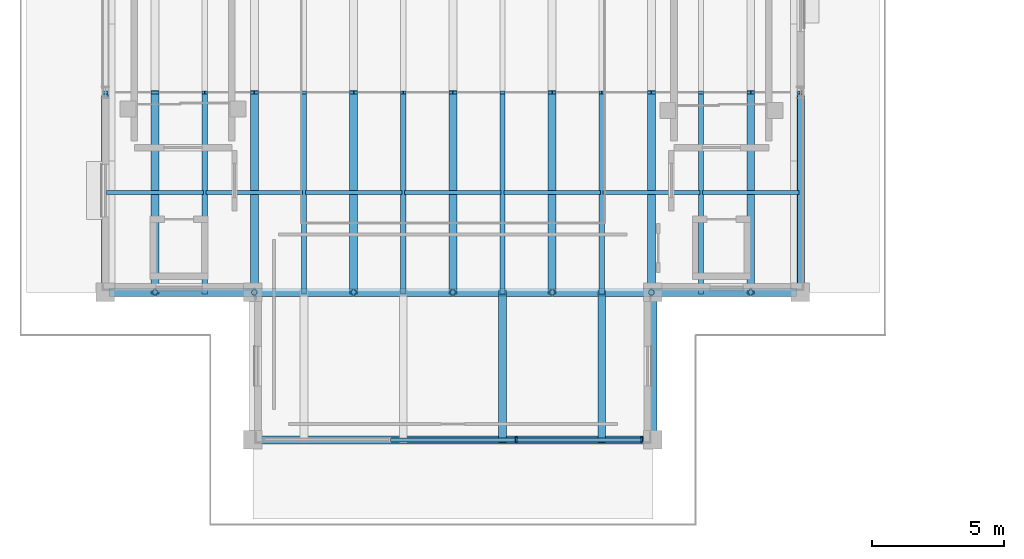
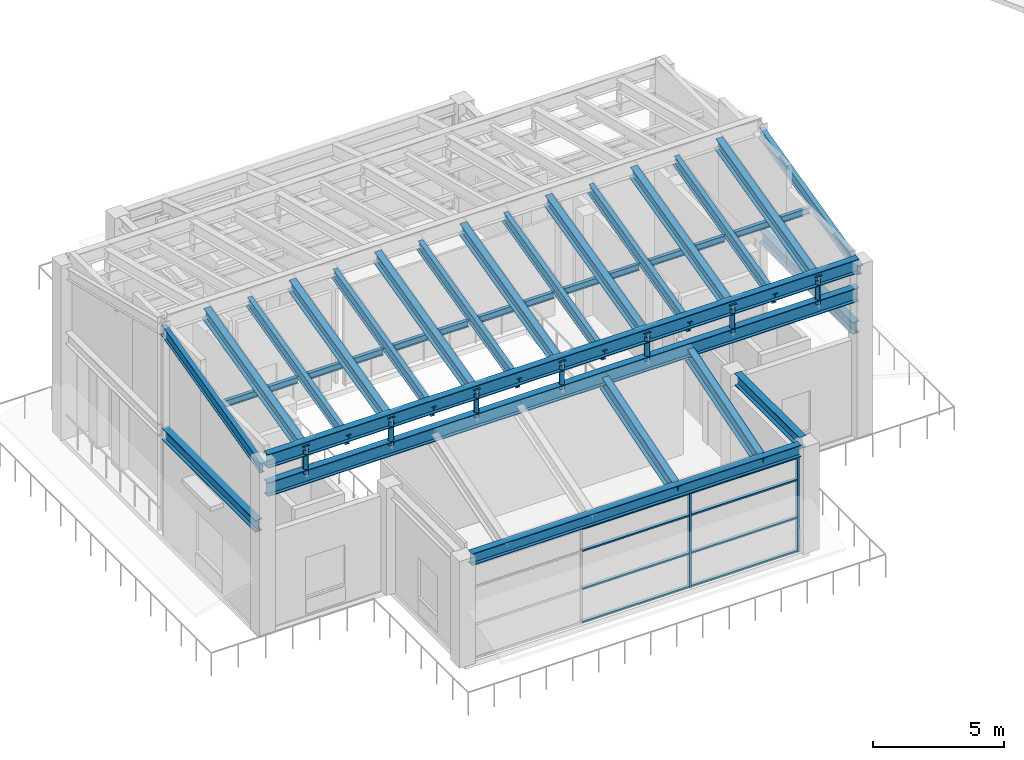
# One storey, part 2 of 11: 41 members, 6 beams, 1 element without a shape of its own.
"""IFC4 building model written with IfcOpenShell, lengths in metres."""

import ifcopenshell
import ifcopenshell.guid

model = None  # the IFC model being written
_history = None  # IfcOwnerHistory: only IFC2X3 demands one
_inside = {}  # id of a spatial element -> (the spatial element, [elements in it])
_under = {}  # id of a project, library or spatial element -> (it, [spatial elements below it])
_declared = {}  # id of a project -> (the project, [libraries it declares])
_typed = {}  # id of a type object -> (the type object, [elements of that type])
_made_of = {}  # id of a material, layer set ... -> (it, [elements and type objects made of it])


def new_model(schema):
    """Start an empty IFC model of exactly this schema.

    Asked for "IFC4X3", IfcOpenShell would pick the latest addendum, in which some entities
    have other attributes; the version numbers below select the first issue.
    IFC2X3 requires an IfcOwnerHistory on every rooted entity: one is made here for all.
    """
    global model, _history
    if schema == "IFC4X3":
        model = ifcopenshell.file(schema_version=(4, 3, 0, 0))
    else:
        model = ifcopenshell.file(schema=schema)
    _inside.clear()
    _under.clear()
    _declared.clear()
    _typed.clear()
    _made_of.clear()
    _history = None
    if model.schema == "IFC2X3":
        org = make("IfcOrganization", Name="unknown")
        user = make(
            "IfcPersonAndOrganization",
            ThePerson=make("IfcPerson", FamilyName="unknown"),
            TheOrganization=org,
        )
        app = make(
            "IfcApplication",
            ApplicationDeveloper=org,
            Version="unknown",
            ApplicationFullName="unknown",
            ApplicationIdentifier="unknown",
        )
        _history = make(
            "IfcOwnerHistory",
            OwningUser=user,
            OwningApplication=app,
            ChangeAction="ADDED",
            CreationDate=0,
        )
    return model


def make(cls, **values):
    """One entity of the class cls with the attributes given. An attribute that is None is left unset."""
    return model.create_entity(
        cls, **{name: value for name, value in values.items() if value is not None}
    )


def rooted(cls, **values):
    """An entity with a GlobalId (a new one), such as an element, a storey or a relation."""
    return make(cls, GlobalId=ifcopenshell.guid.new(), OwnerHistory=_history, **values)


def si_unit(unit_type, name, prefix=None):
    """IfcSIUnit, for example si_unit("LENGTHUNIT", "METRE", prefix="MILLI")."""
    return make("IfcSIUnit", UnitType=unit_type, Prefix=prefix, Name=name)


def assignment(units):
    """IfcUnitAssignment: the units of a project."""
    return None if units is None else make("IfcUnitAssignment", Units=units)


def point(xyz):
    """IfcCartesianPoint."""
    return None if xyz is None else make("IfcCartesianPoint", Coordinates=xyz)


def direction(xyz):
    """IfcDirection."""
    return None if xyz is None else make("IfcDirection", DirectionRatios=xyz)


def frame(location, z_axis=None, x_axis=None):
    """IfcAxis2Placement3D, a coordinate frame: its origin and axes. An axis left out is left unset."""
    return make(
        "IfcAxis2Placement3D",
        Location=point(location),
        Axis=direction(z_axis),
        RefDirection=direction(x_axis),
    )


def frame_2d(location, x_axis=None):
    """IfcAxis2Placement2D, a coordinate frame in the plane: its origin and x axis."""
    return make(
        "IfcAxis2Placement2D", Location=point(location), RefDirection=direction(x_axis)
    )


def origin():
    """The frame at (0, 0, 0) with its axes left unset."""
    return frame((0.0, 0.0, 0.0))


def origin_2d():
    """The frame at (0, 0) in the plane with its x axis left unset."""
    return frame_2d((0.0, 0.0))


def place(relative_to, where):
    """IfcLocalPlacement: puts the frame where relative to a parent placement (None: the world)."""
    return make(
        "IfcLocalPlacement", PlacementRelTo=relative_to, RelativePlacement=where
    )


def context(
    kind, dimensions, precision=None, world=None, true_north=None, identifier=None
):
    """IfcGeometricRepresentationContext, for example the 3D "Model" context."""
    return make(
        "IfcGeometricRepresentationContext",
        ContextIdentifier=identifier,
        ContextType=kind,
        CoordinateSpaceDimension=dimensions,
        Precision=precision,
        WorldCoordinateSystem=world,
        TrueNorth=true_north,
    )


def subcontext(parent, identifier, kind, view, scale=None):
    """IfcGeometricRepresentationSubContext, for example "Body" below "Model"."""
    return make(
        "IfcGeometricRepresentationSubContext",
        ContextIdentifier=identifier,
        ContextType=kind,
        ParentContext=parent,
        TargetScale=scale,
        TargetView=view,
    )


def project(units=None, contexts=None):
    """IfcProject with its units and contexts."""
    return rooted(
        "IfcProject",
        Name="project",
        RepresentationContexts=contexts,
        UnitsInContext=assignment(units),
    )


def spatial(cls, under=None, at=None, **own):
    """A site, building, storey or space (cls), placed at a placement, below another one or the project."""
    s = rooted(cls, ObjectPlacement=at, **own)
    if under is not None:
        _under.setdefault(under.id(), (under, []))[1].append(s)
    return s


def profile(cls, at=None, kind="AREA", **sizes):
    """A parametric profile (cls). Its sizes go by their IFC names, for example OverallWidth=200.0."""
    return make(cls, ProfileType=kind, Position=at, **sizes)


def rectangle(**sizes):
    """IfcRectangleProfileDef."""
    return profile("IfcRectangleProfileDef", **sizes)


def hollow_circle(**sizes):
    """IfcCircleHollowProfileDef."""
    return profile("IfcCircleHollowProfileDef", **sizes)


def i_section(**sizes):
    """IfcIShapeProfileDef."""
    return profile("IfcIShapeProfileDef", **sizes)


def extrude(swept, where, along, depth):
    """IfcExtrudedAreaSolid: the profile swept, set in the frame where, extruded along a direction by depth."""
    return make(
        "IfcExtrudedAreaSolid",
        SweptArea=swept,
        Position=where,
        ExtrudedDirection=direction(along),
        Depth=depth,
    )


def shape(context_of_items, identifier, shape_type, items):
    """IfcShapeRepresentation: the items that make up one representation, for example the "Body"."""
    return make(
        "IfcShapeRepresentation",
        ContextOfItems=context_of_items,
        RepresentationIdentifier=identifier,
        RepresentationType=shape_type,
        Items=items,
    )


def material(Name=None, Category=None):
    """IfcMaterial."""
    return make("IfcMaterial", Name=Name, Category=Category)


def material_profile(
    of_material, cross_section, Name=None, Category=None, Priority=None
):
    """IfcMaterialProfile: a cross section and its material."""
    return make(
        "IfcMaterialProfile",
        Name=Name,
        Material=of_material,
        Profile=cross_section,
        Priority=Priority,
        Category=Category,
    )


def profile_set(profiles, Name=None, composite=None):
    """IfcMaterialProfileSet."""
    return make(
        "IfcMaterialProfileSet",
        Name=Name,
        MaterialProfiles=profiles,
        CompositeProfile=composite,
    )


def made_of(thing, what):
    """Note that an element or type object is made of a material, layer set ...; save() writes the relation."""
    if what is not None:
        _made_of.setdefault(what.id(), (what, []))[1].append(thing)
    return thing


def type_object(cls, material=None, **own):
    """A type object (cls), such as IfcWallType, which elements share."""
    return made_of(rooted(cls, **own), material)


def element(
    cls,
    number,
    at=None,
    inside=None,
    cuts=None,
    type_object=None,
    material=None,
    context=None,
    identifier="Body",
    shape_type=None,
    held_by="IfcProductDefinitionShape",
    body=None,
    shapes=None,
    **own,
):
    """One element of the class cls, such as IfcWall. Its Tag is "e" and its number.

    at: its placement. inside: the storey or other place that contains it. cuts: it is an
    opening in that element (IfcRelVoidsElement). A single representation is given by context,
    identifier, shape_type and body (its items); several are given by shapes. held_by: the class
    of the entity that holds the representations. save() writes the other relations.
    """
    e = rooted(cls, Tag="e%d" % number, ObjectPlacement=at, **own)
    if body is not None:
        shapes = [shape(context, identifier, shape_type, body)]
    if shapes is not None:
        e.Representation = make(held_by, Representations=shapes)
    if inside is not None:
        _inside.setdefault(inside.id(), (inside, []))[1].append(e)
    if cuts is not None:
        rooted(
            "IfcRelVoidsElement", RelatingBuildingElement=cuts, RelatedOpeningElement=e
        )
    if type_object is not None:
        _typed.setdefault(type_object.id(), (type_object, []))[1].append(e)
    return made_of(e, material)


def aggregate(whole, parts):
    """IfcRelAggregates: a whole, such as a stair, and the parts it consists of."""
    return rooted("IfcRelAggregates", RelatingObject=whole, RelatedObjects=parts)


def save(model, path):
    """Write the relations noted so far, then the file.

    IfcRelAggregates (storeys below a building ...), IfcRelContainedInSpatialStructure (elements
    in a storey), IfcRelDefinesByType, IfcRelAssociatesMaterial and IfcRelDeclares: one each for
    every whole, place, type object, material and project.
    """
    for whole, parts in _under.values():
        aggregate(whole, parts)
    for where, things in _inside.values():
        rooted(
            "IfcRelContainedInSpatialStructure",
            RelatedElements=things,
            RelatingStructure=where,
        )
    for kind, things in _typed.values():
        rooted("IfcRelDefinesByType", RelatedObjects=things, RelatingType=kind)
    for what, things in _made_of.values():
        rooted("IfcRelAssociatesMaterial", RelatedObjects=things, RelatingMaterial=what)
    for by, libraries in _declared.values():
        rooted("IfcRelDeclares", RelatingContext=by, RelatedDefinitions=libraries)
    model.write(path)


model = new_model("IFC4")

# Units and contexts
model_context = context("Model", 3, precision=1e-05, world=origin(), true_north=direction((0.0, 1.0)))
body_context = subcontext(model_context, "Body", "Model", "MODEL_VIEW")
ifc_project = project(units=[si_unit("LENGTHUNIT", "METRE"), si_unit("AREAUNIT", "SQUARE_METRE"), si_unit("VOLUMEUNIT", "CUBIC_METRE"), si_unit("PLANEANGLEUNIT", "RADIAN"), si_unit("MASSUNIT", "GRAM", prefix="KILO")], contexts=[model_context])

# Site, building, storey
site_placement = place(None, origin())
site = spatial("IfcSite", under=ifc_project, at=site_placement, CompositionType="ELEMENT")
building_placement = place(site_placement, origin())
building = spatial("IfcBuilding", under=site, at=building_placement, Name="Saryqyr Civic Hall", CompositionType="ELEMENT")
storey_placement = place(building_placement, frame((0.0, 0.0, 29.39990234375)))
storey = spatial("IfcBuildingStorey", under=building, at=storey_placement, Name="L07", CompositionType="ELEMENT", Elevation=29.39990234375)

# Curtain wall, members
ifc_material_1 = material(Name="Anodised aluminium and triple low-E glass", Category="aluminium")
curtain_wall_type = type_object("IfcCurtainWallType", Name="ENV-CW-HVY-50", PredefinedType="NOTDEFINED", material=ifc_material_1)
curtain_wall_placement = place(storey_placement, origin())
curtain_wall = element("IfcCurtainWall", 1, at=curtain_wall_placement, inside=storey, type_object=curtain_wall_type, Name="Curtain wall V1-CW-L07-11", PredefinedType="NOTDEFINED")
ifc_material_2 = material(Name="Anodised aluminium", Category="aluminium")
ifc_material_profile_1 = material_profile(ifc_material_2, rectangle(XDim=0.070068359375, YDim=0.199951171875, at=origin_2d()), Name="ALU MULLION 70x200")
ifc_profile_set_1 = profile_set([ifc_material_profile_1], Name="Anodised aluminium")
member_type_1 = type_object("IfcMemberType", Name="ENV-CW-MUL-220", PredefinedType="MULLION", material=ifc_profile_set_1)
member_1_placement = place(storey_placement, frame((64.175048828125, 70.800048828125, 0.0), z_axis=(0.0, 0.0, 1.0), x_axis=(-1.0, 0.0, 0.0)))
member_1 = element("IfcMember", 2, at=member_1_placement, type_object=member_type_1, Name="CW-50 mullion 1", PredefinedType="MULLION", context=body_context, shape_type="SweptSolid", body=[
    extrude(rectangle(XDim=0.070068359375, YDim=0.199951171875, at=origin_2d()), origin(), (0.0, 0.0, 1.0), 4.425048828125),
])
member_2_placement = place(storey_placement, frame((59.4033203125, 70.800048828125, 0.0), z_axis=(0.0, 0.0, 1.0), x_axis=(-1.0, 0.0, 0.0)))
member_2 = element("IfcMember", 3, at=member_2_placement, type_object=member_type_1, Name="CW-50 mullion 2", PredefinedType="MULLION", context=body_context, shape_type="SweptSolid", body=[
    extrude(rectangle(XDim=0.070068359375, YDim=0.199951171875, at=origin_2d()), origin(), (0.0, 0.0, 1.0), 4.425048828125),
])
ifc_material_profile_2 = material_profile(ifc_material_2, rectangle(XDim=0.14990234375, YDim=0.070068359375, at=origin_2d()), Name="ALU TRANSOM 150x70")
ifc_profile_set_2 = profile_set([ifc_material_profile_2], Name="Anodised aluminium")
member_type_2 = type_object("IfcMemberType", Name="ENV-CW-TRN-180", PredefinedType="USERDEFINED", material=ifc_profile_set_2)
member_3_placement = place(storey_placement, frame((64.139892578125, 70.800048828125, 0.03515625), z_axis=(-1.0, 0.0, 0.0), x_axis=(0.0, -1.0, 0.0)))
member_3 = element("IfcMember", 4, at=member_3_placement, type_object=member_type_2, Name="CW-50 transom 1.1", ObjectType="TRANSOM", PredefinedType="USERDEFINED", context=body_context, shape_type="SweptSolid", body=[
    extrude(rectangle(XDim=0.14990234375, YDim=0.070068359375, at=origin_2d()), origin(), (0.0, 0.0, 1.0), 4.70166015625),
])
member_4_placement = place(storey_placement, frame((64.139892578125, 70.800048828125, 1.593017578125), z_axis=(-1.0, 0.0, 0.0), x_axis=(0.0, -1.0, 0.0)))
member_4 = element("IfcMember", 5, at=member_4_placement, type_object=member_type_2, Name="CW-50 transom 1.2", ObjectType="TRANSOM", PredefinedType="USERDEFINED", context=body_context, shape_type="SweptSolid", body=[
    extrude(rectangle(XDim=0.14990234375, YDim=0.070068359375, at=origin_2d()), origin(), (0.0, 0.0, 1.0), 4.70166015625),
])
member_5_placement = place(storey_placement, frame((64.139892578125, 70.800048828125, 3.363037109375), z_axis=(-1.0, 0.0, 0.0), x_axis=(0.0, -1.0, 0.0)))
member_5 = element("IfcMember", 6, at=member_5_placement, type_object=member_type_2, Name="CW-50 transom 1.3", ObjectType="TRANSOM", PredefinedType="USERDEFINED", context=body_context, shape_type="SweptSolid", body=[
    extrude(rectangle(XDim=0.14990234375, YDim=0.070068359375, at=origin_2d()), origin(), (0.0, 0.0, 1.0), 4.70166015625),
])
member_6_placement = place(storey_placement, frame((64.139892578125, 70.800048828125, 4.39013671875), z_axis=(-1.0, 0.0, 0.0), x_axis=(0.0, -1.0, 0.0)))
member_6 = element("IfcMember", 7, at=member_6_placement, type_object=member_type_2, Name="CW-50 transom 1.4", ObjectType="TRANSOM", PredefinedType="USERDEFINED", context=body_context, shape_type="SweptSolid", body=[
    extrude(rectangle(XDim=0.14990234375, YDim=0.070068359375, at=origin_2d()), origin(), (0.0, 0.0, 1.0), 4.70166015625),
])
member_7_placement = place(storey_placement, frame((59.368408203125, 70.800048828125, 0.03515625), z_axis=(-1.0, 0.0, 0.0), x_axis=(0.0, -1.0, 0.0)))
member_7 = element("IfcMember", 8, at=member_7_placement, type_object=member_type_2, Name="CW-50 transom 2.1", ObjectType="TRANSOM", PredefinedType="USERDEFINED", context=body_context, shape_type="SweptSolid", body=[
    extrude(rectangle(XDim=0.14990234375, YDim=0.070068359375, at=origin_2d()), origin(), (0.0, 0.0, 1.0), 4.73681640625),
])
member_8_placement = place(storey_placement, frame((59.368408203125, 70.800048828125, 1.593017578125), z_axis=(-1.0, 0.0, 0.0), x_axis=(0.0, -1.0, 0.0)))
member_8 = element("IfcMember", 9, at=member_8_placement, type_object=member_type_2, Name="CW-50 transom 2.2", ObjectType="TRANSOM", PredefinedType="USERDEFINED", context=body_context, shape_type="SweptSolid", body=[
    extrude(rectangle(XDim=0.14990234375, YDim=0.070068359375, at=origin_2d()), origin(), (0.0, 0.0, 1.0), 4.73681640625),
])
member_9_placement = place(storey_placement, frame((59.368408203125, 70.800048828125, 3.363037109375), z_axis=(-1.0, 0.0, 0.0), x_axis=(0.0, -1.0, 0.0)))
member_9 = element("IfcMember", 10, at=member_9_placement, type_object=member_type_2, Name="CW-50 transom 2.3", ObjectType="TRANSOM", PredefinedType="USERDEFINED", context=body_context, shape_type="SweptSolid", body=[
    extrude(rectangle(XDim=0.14990234375, YDim=0.070068359375, at=origin_2d()), origin(), (0.0, 0.0, 1.0), 4.73681640625),
])
member_10_placement = place(storey_placement, frame((59.368408203125, 70.800048828125, 4.39013671875), z_axis=(-1.0, 0.0, 0.0), x_axis=(0.0, -1.0, 0.0)))
member_10 = element("IfcMember", 11, at=member_10_placement, type_object=member_type_2, Name="CW-50 transom 2.4", ObjectType="TRANSOM", PredefinedType="USERDEFINED", context=body_context, shape_type="SweptSolid", body=[
    extrude(rectangle(XDim=0.14990234375, YDim=0.070068359375, at=origin_2d()), origin(), (0.0, 0.0, 1.0), 4.73681640625),
])
aggregate(curtain_wall, [member_1, member_2, member_3, member_4, member_5, member_6, member_7, member_8, member_9, member_10])

# Beams
ifc_material_3 = material(Name="Steel S355", Category="steel")
ifc_material_profile_3 = material_profile(ifc_material_3, i_section(OverallWidth=0.300048828125, OverallDepth=0.550048828125, WebThickness=0.014892578125, FlangeThickness=0.029052734375, at=origin_2d()), Name="HEB 550")
ifc_profile_set_3 = profile_set([ifc_material_profile_3], Name="Steel S355")
beam_type_1 = type_object("IfcBeamType", Name="STR-BM-HEB550", PredefinedType="BEAM", material=ifc_profile_set_3)
for number, where, z_axis, x_axis, name in (
    (12, (43.800048828125, 76.72509765625, 4.72509765625), (0.0, 1.0, 0.0), (-1.0, 0.0, 0.0), "Beam V1-RB34-01"),
    (13, (70.199951171875, 76.72509765625, 4.72509765625), (0.0, 1.0, 0.0), (-1.0, 0.0, 0.0), "Beam V1-RB34-03"),
):
    element("IfcBeam", number, at=place(storey_placement, frame(where, z_axis=z_axis, x_axis=x_axis)), inside=storey, type_object=beam_type_1, Name=name, PredefinedType="BEAM", context=body_context, shape_type="SweptSolid", body=[
        extrude(i_section(OverallWidth=0.300048828125, OverallDepth=0.550048828125, WebThickness=0.014892578125, FlangeThickness=0.029052734375, at=origin_2d()), origin(), (0.0, 0.0, 1.0), 7.14990234375),
    ])
beam_1_placement = place(storey_placement, frame((64.60009765625, 71.125, 4.72509765625), z_axis=(0.0, 1.0, 0.0), x_axis=(-1.0, 0.0, 0.0)))
element("IfcBeam", 14, at=beam_1_placement, inside=storey, type_object=beam_type_1, Name="Beam V1-RB34-10", PredefinedType="BEAM", context=body_context, shape_type="SweptSolid", body=[
    extrude(i_section(OverallWidth=0.300048828125, OverallDepth=0.550048828125, WebThickness=0.014892578125, FlangeThickness=0.029052734375, at=origin_2d()), origin(), (0.0, 0.0, 1.0), 4.949951171875),
])
beam_2_placement = place(storey_placement, frame((49.72509765625, 70.800048828125, 4.72509765625), z_axis=(1.0, 0.0, 0.0), x_axis=(0.0, 1.0, 0.0)))
element("IfcBeam", 15, at=beam_2_placement, inside=storey, type_object=beam_type_1, Name="Beam V1-RB34-13", PredefinedType="BEAM", context=body_context, shape_type="SweptSolid", body=[
    extrude(i_section(OverallWidth=0.300048828125, OverallDepth=0.550048828125, WebThickness=0.014892578125, FlangeThickness=0.029052734375, at=origin_2d()), origin(), (0.0, 0.0, 1.0), 14.5498046875),
])
ifc_material_profile_4 = material_profile(ifc_material_3, i_section(OverallWidth=0.300048828125, OverallDepth=0.64990234375, WebThickness=0.01611328125, FlangeThickness=0.031005859375, at=origin_2d()), Name="HEB 650")
ifc_profile_set_4 = profile_set([ifc_material_profile_4], Name="Steel S355")
beam_type_2 = type_object("IfcBeamType", Name="STR-BM-HEB650", PredefinedType="BEAM", material=ifc_profile_set_4)
for number, where, z_axis, x_axis, name in (
    (16, (43.93994140625, 76.39990234375, 6.6201171875), (1.0, 0.0, 0.0), (0.0, 1.0, 0.0), "Folded-plate crown primary girder V1-RFG-S-LOW"),
    (17, (43.93994140625, 76.39990234375, 7.940185546875), (1.0, 0.0, 0.0), (0.0, 1.0, 0.0), "Folded-plate crown primary girder V1-RFG-S-UP"),
):
    element("IfcBeam", number, at=place(storey_placement, frame(where, z_axis=z_axis, x_axis=x_axis)), inside=storey, type_object=beam_type_2, Name=name, PredefinedType="BEAM", context=body_context, shape_type="SweptSolid", body=[
        extrude(i_section(OverallWidth=0.300048828125, OverallDepth=0.64990234375, WebThickness=0.01611328125, FlangeThickness=0.031005859375, at=origin_2d()), origin(), (0.0, 0.0, 1.0), 26.1201171875),
    ])

# Members
ifc_material_profile_5 = material_profile(ifc_material_3, i_section(OverallWidth=0.300048828125, OverallDepth=0.550048828125, WebThickness=0.014892578125, FlangeThickness=0.029052734375, at=origin_2d()), Name="HEB 550")
ifc_profile_set_5 = profile_set([ifc_material_profile_5], Name="Steel S355")
member_type_3 = type_object("IfcMemberType", Name="STR-CHD-HEB550", PredefinedType="CHORD", material=ifc_profile_set_5)
for number, where, z_axis, x_axis, name in (
    (18, (45.685791015625, 76.39990234375, 7.739990234375), (0.0, 0.970737537899, 0.240142941836), (-1.0, 0.0, 0.0), "Chamber folded-plate upper crest chord S bay 1"),
    (19, (49.45703125, 76.39990234375, 7.739990234375), (0.0, 0.970737537899, 0.240142941836), (-1.0, 0.0, 0.0), "Chamber folded-plate upper crest chord S bay 2"),
    (20, (53.228515625, 76.39990234375, 7.739990234375), (0.0, 0.970737537899, 0.240142941836), (-1.0, 0.0, 0.0), "Chamber folded-plate upper crest chord S bay 3"),
    (21, (57.0, 76.39990234375, 7.739990234375), (0.0, 0.970737537899, 0.240142941836), (-1.0, 0.0, 0.0), "Chamber folded-plate upper crest chord S bay 4"),
    (22, (60.771484375, 76.39990234375, 7.739990234375), (0.0, 0.970737537899, 0.240142941836), (-1.0, 0.0, 0.0), "Chamber folded-plate upper crest chord S bay 5"),
    (23, (64.542724609375, 76.39990234375, 7.739990234375), (0.0, 0.970737537899, 0.240142941836), (-1.0, 0.0, 0.0), "Chamber folded-plate upper crest chord S bay 6"),
    (24, (68.314208984375, 76.39990234375, 7.739990234375), (0.0, 0.970737537899, 0.240142941836), (-1.0, 0.0, 0.0), "Chamber folded-plate upper crest chord S bay 7"),
):
    element("IfcMember", number, at=place(storey_placement, frame(where, z_axis=z_axis, x_axis=x_axis)), inside=storey, type_object=member_type_3, Name=name, PredefinedType="CHORD", context=body_context, shape_type="SweptSolid", body=[
        extrude(i_section(OverallWidth=0.300048828125, OverallDepth=0.550048828125, WebThickness=0.014892578125, FlangeThickness=0.029052734375, at=origin_2d()), origin(), (0.0, 0.0, 1.0), 7.8291015625),
    ])
ifc_material_profile_6 = material_profile(ifc_material_3, i_section(OverallWidth=0.14990234375, OverallDepth=0.300048828125, WebThickness=0.007080078125, FlangeThickness=0.0107421875, at=origin_2d()), Name="IPE 300")
ifc_profile_set_6 = profile_set([ifc_material_profile_6], Name="Steel S355")
member_type_4 = type_object("IfcMemberType", Name="STR-PUR-IPE300", PredefinedType="PURLIN", material=ifc_profile_set_6)
for number, where, z_axis, x_axis, name in (
    (25, (43.85009765625, 80.199951171875, 8.150146484375), (1.0, 0.0, 0.0), (0.0, 1.0, 0.0), "Chamber roof purlin S bay 1"),
    (26, (47.621337890625, 80.199951171875, 8.150146484375), (1.0, 0.0, 0.0), (0.0, 1.0, 0.0), "Chamber roof purlin S bay 2"),
    (27, (51.392822265625, 80.199951171875, 8.150146484375), (1.0, 0.0, 0.0), (0.0, 1.0, 0.0), "Chamber roof purlin S bay 3"),
    (28, (55.164306640625, 80.199951171875, 8.150146484375), (1.0, 0.0, 0.0), (0.0, 1.0, 0.0), "Chamber roof purlin S bay 4"),
    (29, (58.935791015625, 80.199951171875, 8.150146484375), (1.0, 0.0, 0.0), (0.0, 1.0, 0.0), "Chamber roof purlin S bay 5"),
    (30, (62.70703125, 80.199951171875, 8.150146484375), (1.0, 0.0, 0.0), (0.0, 1.0, 0.0), "Chamber roof purlin S bay 6"),
    (31, (66.478515625, 80.199951171875, 8.150146484375), (1.0, 0.0, 0.0), (0.0, 1.0, 0.0), "Chamber roof purlin S bay 7"),
):
    element("IfcMember", number, at=place(storey_placement, frame(where, z_axis=z_axis, x_axis=x_axis)), inside=storey, type_object=member_type_4, Name=name, PredefinedType="PURLIN", context=body_context, shape_type="SweptSolid", body=[
        extrude(i_section(OverallWidth=0.14990234375, OverallDepth=0.300048828125, WebThickness=0.007080078125, FlangeThickness=0.0107421875, at=origin_2d()), origin(), (0.0, 0.0, 1.0), 3.67138671875),
    ])
ifc_material_profile_7 = material_profile(ifc_material_3, i_section(OverallWidth=0.300048828125, OverallDepth=0.64990234375, WebThickness=0.01611328125, FlangeThickness=0.031005859375, at=origin_2d()), Name="HEB 650")
ifc_profile_set_7 = profile_set([ifc_material_profile_7], Name="Steel S355")
member_type_5 = type_object("IfcMemberType", Name="STR-RAF-HEB650", PredefinedType="RAFTER", material=ifc_profile_set_7)
for number, where, z_axis, x_axis, name in (
    (32, (58.8857421875, 70.800048828125, 4.6201171875), (0.0, 0.95592576977, 0.293608451325), (-1.0, 0.0, 0.0), "Chamber folded-plate lower valley rafter S bay 5"),
    (33, (62.656982421875, 70.800048828125, 4.6201171875), (0.0, 0.95592576977, 0.293608451325), (-1.0, 0.0, 0.0), "Chamber folded-plate lower valley rafter S bay 6"),
):
    element("IfcMember", number, at=place(storey_placement, frame(where, z_axis=z_axis, x_axis=x_axis)), inside=storey, type_object=member_type_5, Name=name, PredefinedType="RAFTER", context=body_context, shape_type="SweptSolid", body=[
        extrude(i_section(OverallWidth=0.300048828125, OverallDepth=0.64990234375, WebThickness=0.01611328125, FlangeThickness=0.031005859375, at=origin_2d()), origin(), (0.0, 0.0, 1.0), 5.858154296875),
    ])
ifc_material_profile_8 = material_profile(ifc_material_3, i_section(OverallWidth=0.199951171875, OverallDepth=0.5, WebThickness=0.01025390625, FlangeThickness=0.01611328125, at=origin_2d()), Name="IPE 500")
ifc_profile_set_8 = profile_set([ifc_material_profile_8], Name="Steel S355")
member_type_6 = type_object("IfcMemberType", Name="STR-RAF-IPE500", PredefinedType="RAFTER", material=ifc_profile_set_8)
for number, where, z_axis, x_axis, name in (
    (34, (43.800048828125, 76.39990234375, 7.60009765625), (0.0, 0.970744806838, 0.240113556462), (-1.0, 0.0, 0.0), "Chamber folded-plate upper valley rafter S bay 1"),
    (35, (47.5712890625, 76.39990234375, 7.60009765625), (0.0, 0.970744806838, 0.240113556462), (-1.0, 0.0, 0.0), "Chamber folded-plate upper valley rafter S bay 2"),
    (36, (51.343017578125, 76.39990234375, 7.60009765625), (0.0, 0.970744806838, 0.240113556462), (-1.0, 0.0, 0.0), "Chamber folded-plate upper valley rafter S bay 3"),
    (37, (55.1142578125, 76.39990234375, 7.60009765625), (0.0, 0.970744806838, 0.240113556462), (-1.0, 0.0, 0.0), "Chamber folded-plate upper valley rafter S bay 4"),
    (38, (58.8857421875, 76.39990234375, 7.60009765625), (0.0, 0.970744806838, 0.240113556462), (-1.0, 0.0, 0.0), "Chamber folded-plate upper valley rafter S bay 5"),
    (39, (62.656982421875, 76.39990234375, 7.60009765625), (0.0, 0.970744806838, 0.240113556462), (-1.0, 0.0, 0.0), "Chamber folded-plate upper valley rafter S bay 6"),
    (40, (66.4287109375, 76.39990234375, 7.60009765625), (0.0, 0.970744806838, 0.240113556462), (-1.0, 0.0, 0.0), "Chamber folded-plate upper valley rafter S bay 7"),
    (41, (70.199951171875, 76.39990234375, 7.60009765625), (0.0, 0.970744806838, 0.240113556462), (-1.0, 0.0, 0.0), "Chamber folded-plate end rafter S2"),
):
    element("IfcMember", number, at=place(storey_placement, frame(where, z_axis=z_axis, x_axis=x_axis)), inside=storey, type_object=member_type_6, Name=name, PredefinedType="RAFTER", context=body_context, shape_type="SweptSolid", body=[
        extrude(i_section(OverallWidth=0.199951171875, OverallDepth=0.5, WebThickness=0.01025390625, FlangeThickness=0.01611328125, at=origin_2d()), origin(), (0.0, 0.0, 1.0), 7.8291015625),
    ])
ifc_material_profile_9 = material_profile(ifc_material_3, hollow_circle(Radius=0.109619140625, WallThickness=0.012451171875, at=origin_2d()), Name="CHS 219.1x12.5")
ifc_profile_set_9 = profile_set([ifc_material_profile_9], Name="Steel S355")
member_type_7 = type_object("IfcMemberType", Name="STR-STRUT-CHS219", PredefinedType="STRUT", material=ifc_profile_set_9)
for number, where, z_axis, x_axis, name in (
    (42, (45.685791015625, 76.39990234375, 6.72021484375), (0.0, 0.0, 1.0), (1.0, 0.0, 0.0), "Chamber folded-plate vault step strut S bay 1"),
    (43, (49.45703125, 76.39990234375, 6.72021484375), (0.0, 0.0, 1.0), (1.0, 0.0, 0.0), "Chamber folded-plate vault step strut S bay 2"),
    (44, (53.228515625, 76.39990234375, 6.72021484375), (0.0, 0.0, 1.0), (1.0, 0.0, 0.0), "Chamber folded-plate vault step strut S bay 3"),
    (45, (57.0, 76.39990234375, 6.72021484375), (0.0, 0.0, 1.0), (1.0, 0.0, 0.0), "Chamber folded-plate vault step strut S bay 4"),
    (46, (60.771484375, 76.39990234375, 6.72021484375), (0.0, 0.0, 1.0), (1.0, 0.0, 0.0), "Chamber folded-plate vault step strut S bay 5"),
    (47, (64.542724609375, 76.39990234375, 6.72021484375), (0.0, 0.0, 1.0), (1.0, 0.0, 0.0), "Chamber folded-plate vault step strut S bay 6"),
    (48, (68.314208984375, 76.39990234375, 6.72021484375), (0.0, 0.0, 1.0), (1.0, 0.0, 0.0), "Chamber folded-plate vault step strut S bay 7"),
):
    element("IfcMember", number, at=place(storey_placement, frame(where, z_axis=z_axis, x_axis=x_axis)), inside=storey, type_object=member_type_7, Name=name, PredefinedType="STRUT", context=body_context, shape_type="SweptSolid", body=[
        extrude(hollow_circle(Radius=0.109619140625, WallThickness=0.012451171875, at=origin_2d()), origin(), (0.0, 0.0, 1.0), 1.119873046875),
    ])

save(model, "model.ifc")
